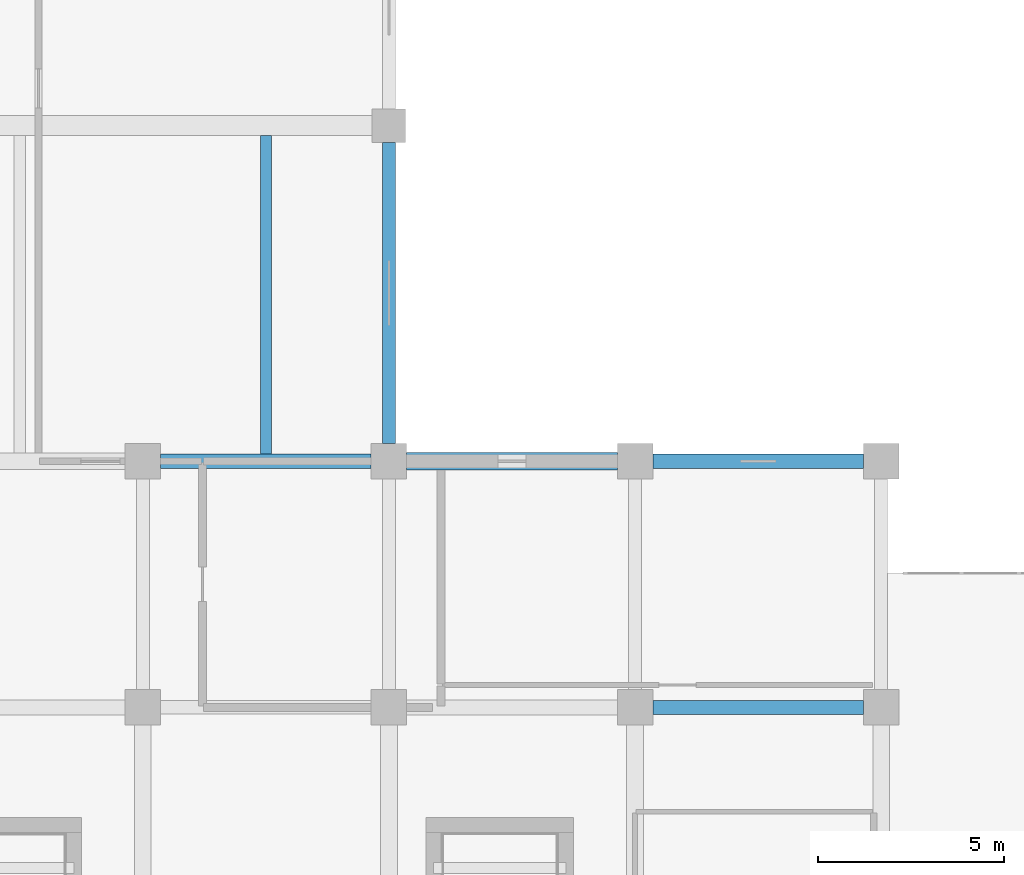
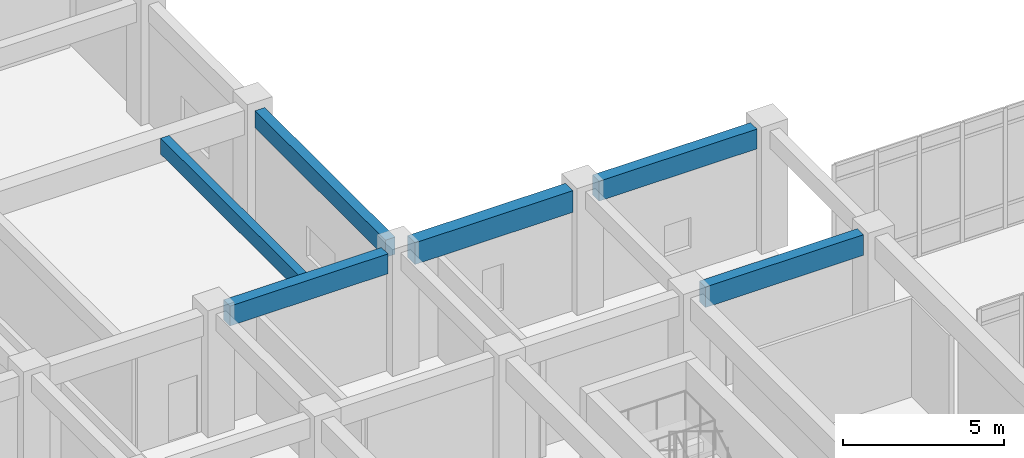
# One storey, part 6 of 68: 6 beams.
"""IFC4 building model written with IfcOpenShell, lengths in metres."""

from ifc_helpers import new_model, si_unit, direction, frame, origin, origin_2d, place, context, subcontext, project, spatial, rectangle, extrude, material, material_profile, profile_set, type_object, element, save


model = new_model("IFC4")

# Units and contexts
model_context = context("Model", 3, precision=1e-05, world=origin(), true_north=direction((0.0, 1.0)))
body_context = subcontext(model_context, "Body", "Model", "MODEL_VIEW")
ifc_project = project(units=[si_unit("LENGTHUNIT", "METRE"), si_unit("AREAUNIT", "SQUARE_METRE"), si_unit("VOLUMEUNIT", "CUBIC_METRE"), si_unit("PLANEANGLEUNIT", "RADIAN"), si_unit("MASSUNIT", "GRAM", prefix="KILO")], contexts=[model_context])

# Site, building, storey
site_placement = place(None, origin())
site = spatial("IfcSite", under=ifc_project, at=site_placement, CompositionType="ELEMENT")
building_placement = place(site_placement, origin())
building = spatial("IfcBuilding", under=site, at=building_placement, Name="Miralva Faculty of Natural Sciences", CompositionType="ELEMENT")
storey_placement = place(building_placement, frame((0.0, 0.0, 5.39990234375)))
storey = spatial("IfcBuildingStorey", under=building, at=storey_placement, Name="L01", CompositionType="ELEMENT", Elevation=5.39990234375)

# Beams
ifc_material = material(Name="Concrete C40/50", Category="concrete")
ifc_material_profile_1 = material_profile(ifc_material, rectangle(XDim=0.39990234375, YDim=0.75, at=origin_2d()), Name="RC 400x750")
ifc_profile_set_1 = profile_set([ifc_material_profile_1], Name="Concrete C40/50")
beam_type_1 = type_object("IfcBeamType", Name="BM-B03", PredefinedType="BEAM", material=ifc_profile_set_1)
for number, where, z_axis, x_axis, name in (
    (1, (16.675048828125, 30.0, 4.10498046875), (1.0, 0.0, 0.0), (0.0, 1.0, 0.0), "Girder EW L01-34"),
    (2, (29.875, 30.0, 4.205078125), (1.0, 0.0, 0.0), (0.0, 1.0, 0.0), "Girder EW L01-36"),
):
    element("IfcBeam", number, at=place(storey_placement, frame(where, z_axis=z_axis, x_axis=x_axis)), inside=storey, type_object=beam_type_1, Name=name, PredefinedType="BEAM", context=body_context, shape_type="SweptSolid", body=[
        extrude(rectangle(XDim=0.39990234375, YDim=0.75, at=origin_2d()), origin(), (0.0, 0.0, 1.0), 5.64990234375),
    ])
ifc_material_profile_2 = material_profile(ifc_material, rectangle(XDim=0.35009765625, YDim=0.64990234375, at=origin_2d()), Name="RC 350x650")
ifc_profile_set_2 = profile_set([ifc_material_profile_2], Name="Concrete C40/50")
beam_type_2 = type_object("IfcBeamType", Name="BM-B05", PredefinedType="BEAM", material=ifc_profile_set_2)
beam_1_placement = place(storey_placement, frame((22.800048828125, 30.47509765625, 4.155029296875), z_axis=(0.0, 1.0, 0.0), x_axis=(-1.0, 0.0, 0.0)))
element("IfcBeam", 3, at=beam_1_placement, inside=storey, type_object=beam_type_2, Name="Girder NS L01-128", PredefinedType="BEAM", context=body_context, shape_type="SweptSolid", body=[
    extrude(rectangle(XDim=0.35009765625, YDim=0.64990234375, at=origin_2d()), origin(), (0.0, 0.0, 1.0), 8.074951171875),
])
ifc_material_profile_3 = material_profile(ifc_material, rectangle(XDim=0.3798828125, YDim=0.780029296875, at=origin_2d()), Name="RC 380x780")
ifc_profile_set_3 = profile_set([ifc_material_profile_3], Name="Concrete C40/50")
beam_type_3 = type_object("IfcBeamType", Name="BM-BG07", PredefinedType="BEAM", material=ifc_profile_set_3)
beam_2_placement = place(storey_placement, frame((29.875, 23.39990234375, 4.190185546875), z_axis=(1.0, 0.0, 0.0), x_axis=(0.0, 1.0, 0.0)))
element("IfcBeam", 4, at=beam_2_placement, inside=storey, type_object=beam_type_3, Name="Girder EW L01-27", PredefinedType="BEAM", context=body_context, shape_type="SweptSolid", body=[
    extrude(rectangle(XDim=0.3798828125, YDim=0.780029296875, at=origin_2d()), origin(), (0.0, 0.0, 1.0), 5.64990234375),
])
ifc_material_profile_4 = material_profile(ifc_material, rectangle(XDim=0.4599609375, YDim=0.820068359375, at=origin_2d()), Name="RC 460x820")
ifc_profile_set_4 = profile_set([ifc_material_profile_4], Name="Concrete C40/50")
beam_type_4 = type_object("IfcBeamType", Name="BM-BG15", PredefinedType="BEAM", material=ifc_profile_set_4)
beam_3_placement = place(storey_placement, frame((23.27490234375, 30.0, 4.170166015625), z_axis=(1.0, 0.0, 0.0), x_axis=(0.0, 1.0, 0.0)))
element("IfcBeam", 5, at=beam_3_placement, inside=storey, type_object=beam_type_4, Name="Girder EW L01-35", PredefinedType="BEAM", context=body_context, shape_type="SweptSolid", body=[
    extrude(rectangle(XDim=0.4599609375, YDim=0.820068359375, at=origin_2d()), origin(), (0.0, 0.0, 1.0), 5.650146484375),
])
ifc_material_profile_5 = material_profile(ifc_material, rectangle(XDim=0.300048828125, YDim=0.60009765625, at=origin_2d()), Name="RC 300x600")
ifc_profile_set_5 = profile_set([ifc_material_profile_5], Name="Concrete C40/50")
beam_type_5 = type_object("IfcBeamType", Name="BM-J01", PredefinedType="JOIST", material=ifc_profile_set_5)
beam_4_placement = place(storey_placement, frame((19.5, 30.199951171875, 4.18017578125), z_axis=(0.0, 1.0, 0.0), x_axis=(-1.0, 0.0, 0.0)))
element("IfcBeam", 6, at=beam_4_placement, inside=storey, type_object=beam_type_5, Name="Floor joist L01-8", PredefinedType="JOIST", context=body_context, shape_type="SweptSolid", body=[
    extrude(rectangle(XDim=0.300048828125, YDim=0.60009765625, at=origin_2d()), origin(), (0.0, 0.0, 1.0), 8.530029296875),
])

save(model, "model.ifc")
